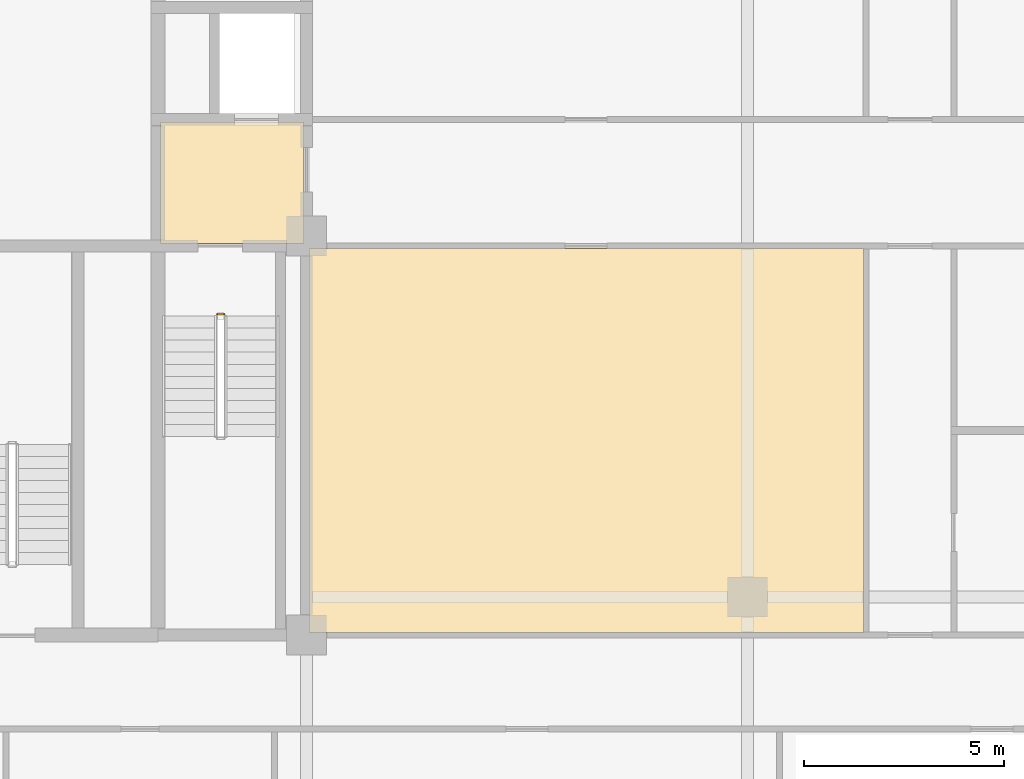
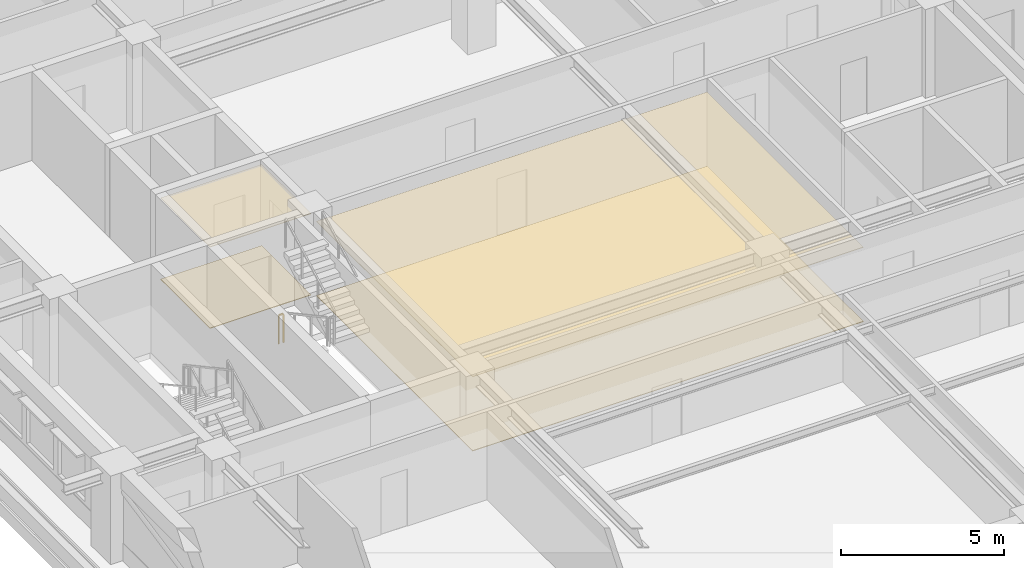
# One storey, part 10 of 13: 4 coverings, 1 railing.
"""IFC4 building model written with IfcOpenShell, lengths in metres."""

from ifc_helpers import new_model, si_unit, direction, frame, origin, origin_2d, place, context, subcontext, project, spatial, polyline, rectangle, outline, extrude, material, layer, layer_set, type_object, element, save


model = new_model("IFC4")

# Units and contexts
model_context = context("Model", 3, precision=1e-05, world=origin(), true_north=direction((0.0, 1.0)))
body_context = subcontext(model_context, "Body", "Model", "MODEL_VIEW")
ifc_project = project(units=[si_unit("LENGTHUNIT", "METRE"), si_unit("AREAUNIT", "SQUARE_METRE"), si_unit("VOLUMEUNIT", "CUBIC_METRE"), si_unit("PLANEANGLEUNIT", "RADIAN"), si_unit("MASSUNIT", "GRAM", prefix="KILO")], contexts=[model_context])

# Site, building, storey
site_placement = place(None, origin())
site = spatial("IfcSite", under=ifc_project, at=site_placement, CompositionType="ELEMENT")
building_placement = place(site_placement, origin())
building = spatial("IfcBuilding", under=site, at=building_placement, Name="Zulmaris Gate Convention Tower", CompositionType="ELEMENT")
storey_placement = place(building_placement, frame((0.0, 0.0, 105.639892578125)))
storey = spatial("IfcBuildingStorey", under=building, at=storey_placement, Name="L26", CompositionType="ELEMENT", Elevation=105.639892578125)

# Coverings
ifc_material_1 = material(Name="Mineral Fibre Acoustic Ceiling Tile")
ifc_layer_1 = layer(ifc_material_1, 0.02001953125, Name="Mineral Fibre Acoustic Ceiling Tile")
ifc_layer_set_1 = layer_set([ifc_layer_1], Name="Mineral Fibre Acoustic Ceiling Tile")
covering_type_1 = type_object("IfcCoveringType", Name="CLG-ACOUSTIC-600", PredefinedType="CEILING", material=ifc_layer_set_1)
covering_1_placement = place(storey_placement, frame((0.0, 0.0, 3.0400390625)))
element("IfcCovering", 1, at=covering_1_placement, inside=storey, type_object=covering_type_1, Name="CLG-L26-R03", PredefinedType="CEILING", context=body_context, shape_type="SweptSolid", body=[
    extrude(outline(polyline([(-14.639892578125, -0.18994140625), (-11.06005859375, -0.18994140625), (-11.06005859375, 2.840087890625), (-14.639892578125, 2.840087890625), (-14.639892578125, -0.18994140625)])), origin(), (0.0, 0.0, 1.0), 0.02001953125),
])
covering_2_placement = place(storey_placement, frame((0.0, 0.0, 2.778076171875)))
element("IfcCovering", 2, at=covering_2_placement, inside=storey, type_object=covering_type_1, Name="CLG-L26-R40", PredefinedType="CEILING", context=body_context, shape_type="SweptSolid", body=[
    extrude(outline(polyline([(-10.93994140625, -9.889892578125), (2.889892578125, -9.889892578125), (2.889892578125, -0.31005859375), (-10.93994140625, -0.31005859375), (-10.93994140625, -9.889892578125)])), origin(), (0.0, 0.0, 1.0), 0.02001953125),
])
ifc_material_2 = material(Name="Woven Acoustic Wool Carpet Tile")
ifc_layer_2 = layer(ifc_material_2, 0.02001953125, Name="Woven Acoustic Wool Carpet Tile")
ifc_layer_set_2 = layer_set([ifc_layer_2], Name="Woven Acoustic Wool Carpet Tile")
covering_type_2 = type_object("IfcCoveringType", Name="FLR-CARPET-12", PredefinedType="FLOORING", material=ifc_layer_set_2)
covering_3_placement = place(storey_placement, origin())
element("IfcCovering", 3, at=covering_3_placement, inside=storey, type_object=covering_type_2, Name="FLR-L26-R03", PredefinedType="FLOORING", context=body_context, shape_type="SweptSolid", body=[
    extrude(outline(polyline([(-14.639892578125, -0.18994140625), (-11.06005859375, -0.18994140625), (-11.06005859375, 2.840087890625), (-14.639892578125, 2.840087890625), (-14.639892578125, -0.18994140625)])), origin(), (0.0, 0.0, 1.0), 0.02001953125),
])
covering_4_placement = place(storey_placement, origin())
element("IfcCovering", 4, at=covering_4_placement, inside=storey, type_object=covering_type_2, Name="FLR-L26-R40", PredefinedType="FLOORING", context=body_context, shape_type="SweptSolid", body=[
    extrude(outline(polyline([(-10.93994140625, -9.889892578125), (2.889892578125, -9.889892578125), (2.889892578125, -0.31005859375), (-10.93994140625, -0.31005859375), (-10.93994140625, -9.889892578125)])), origin(), (0.0, 0.0, 1.0), 0.02001953125),
])

# Railing
ifc_material_3 = material(Name="Painted Galvanised Steel", Category="steel")
railing_type = type_object("IfcRailingType", Name="RL-STG-1150", PredefinedType="GUARDRAIL", material=ifc_material_3)
railing_placement = place(storey_placement, frame((-13.219970703125, -1.949951171875, 0.0)))
element("IfcRailing", 5, at=railing_placement, inside=storey, type_object=railing_type, Name="L26 ST-1 stair guard 4", PredefinedType="GUARDRAIL", context=body_context, shape_type="SweptSolid", body=[
    extrude(rectangle(XDim=0.048095703125, YDim=0.048095703125, at=origin_2d()), frame((0.0, 0.0, 1.076171875), z_axis=(1.0, 0.0, 0.0), x_axis=(0.0, 1.0, 0.0)), (0.0, 0.0, 1.0), 0.159912109375),
    extrude(rectangle(XDim=0.0419921875, YDim=0.0419921875, at=origin_2d()), origin(), (0.0, 0.0, 1.0), 1.052001953125),
    extrude(rectangle(XDim=0.0419921875, YDim=0.0419921875, at=origin_2d()), frame((0.159912109375, 0.0, 0.0)), (0.0, 0.0, 1.0), 1.052001953125),
])

save(model, "model.ifc")
